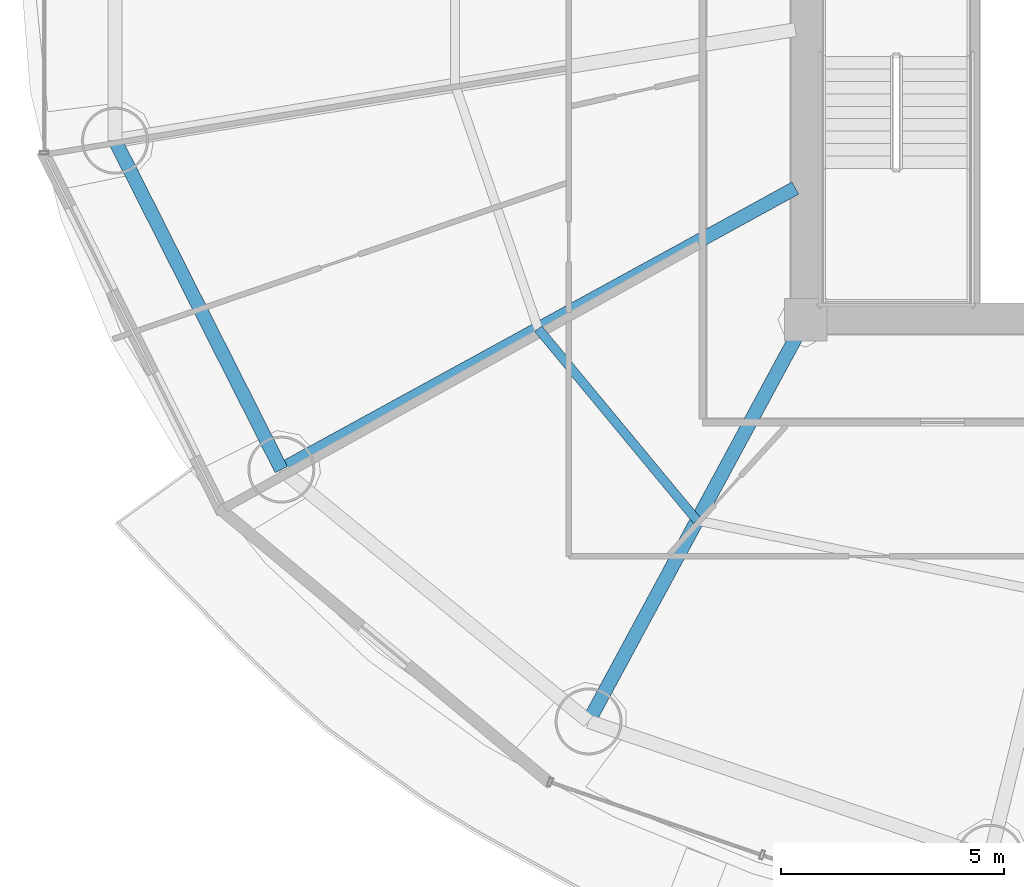
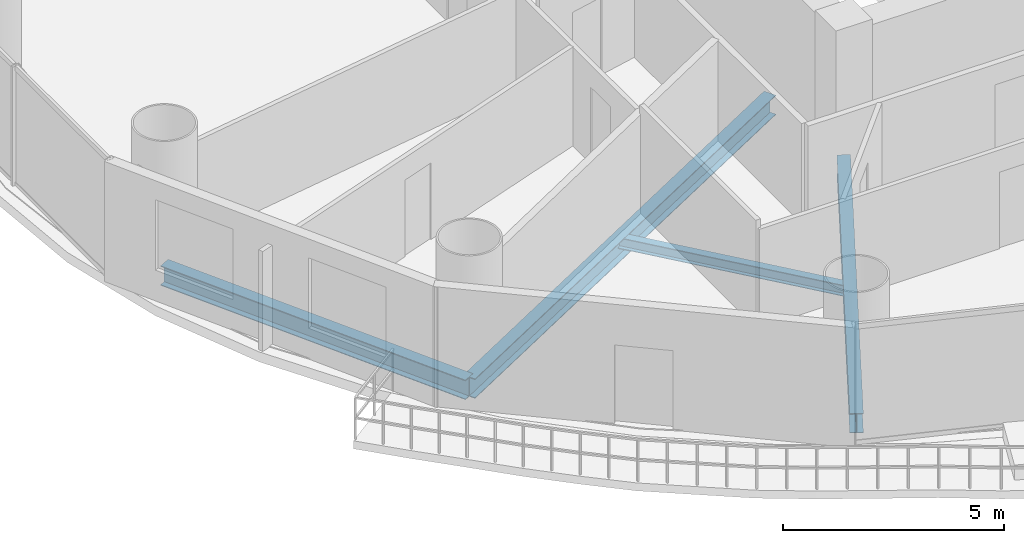
# One storey, part 3 of 29: 4 beams.
"""IFC4 building model written with IfcOpenShell, lengths in metres."""

from ifc_helpers import new_model, si_unit, direction, frame, origin, origin_2d, place, context, subcontext, project, spatial, i_section, extrude, material, material_profile, profile_set, type_object, element, save


model = new_model("IFC4")

# Units and contexts
model_context = context("Model", 3, precision=1e-05, world=origin(), true_north=direction((-0.2419218956, 0.970295726276)))
body_context = subcontext(model_context, "Body", "Model", "MODEL_VIEW")
ifc_project = project(units=[si_unit("LENGTHUNIT", "METRE"), si_unit("AREAUNIT", "SQUARE_METRE"), si_unit("VOLUMEUNIT", "CUBIC_METRE"), si_unit("PLANEANGLEUNIT", "RADIAN"), si_unit("MASSUNIT", "GRAM", prefix="KILO")], contexts=[model_context])

# Site, building, storey
site_placement = place(None, origin())
site = spatial("IfcSite", under=ifc_project, at=site_placement, CompositionType="ELEMENT")
building_placement = place(site_placement, origin())
building = spatial("IfcBuilding", under=site, at=building_placement, Name="Cobrevalo Terracotta Tower", CompositionType="ELEMENT")
storey_placement = place(building_placement, frame((0.0, 0.0, 123.0)))
storey = spatial("IfcBuildingStorey", under=building, at=storey_placement, Name="L32", CompositionType="ELEMENT", Elevation=123.0)

# Beams
ifc_material = material(Name="Steel S355", Category="steel")
ifc_material_profile_1 = material_profile(ifc_material, i_section(OverallWidth=0.31201171875, OverallDepth=0.54296875, WebThickness=0.0126953125, FlangeThickness=0.020263671875, at=origin_2d()), Name="W 530x150")
ifc_profile_set_1 = profile_set([ifc_material_profile_1], Name="Steel S355")
beam_type_1 = type_object("IfcBeamType", Name="Structural Beam W 530x150 (Steel S355)", PredefinedType="BEAM", material=ifc_profile_set_1)
beam_1_placement = place(storey_placement, frame((17.2548828125, 15.4384765625, -0.54638671875), z_axis=(0.877072765004, 0.480357538599, 0.0), x_axis=(-0.480357538599, 0.877072765004, 0.0)))
element("IfcBeam", 1, at=beam_1_placement, inside=storey, type_object=beam_type_1, Name="L32 radial floor girder 10", PredefinedType="BEAM", context=body_context, shape_type="SweptSolid", body=[
    extrude(i_section(OverallWidth=0.31201171875, OverallDepth=0.54296875, WebThickness=0.0126953125, FlangeThickness=0.020263671875, at=origin_2d()), origin(), (0.0, 0.0, 1.0), 13.129150390625),
])
beam_2_placement = place(storey_placement, frame((24.138427734375, 9.79638671875, -0.54638671875), z_axis=(0.475118249298, 0.879921956303, 0.0), x_axis=(-0.879921956303, 0.475118249298, 0.0)))
element("IfcBeam", 2, at=beam_2_placement, inside=storey, type_object=beam_type_1, Name="L32 radial floor girder 11", PredefinedType="BEAM", context=body_context, shape_type="SweptSolid", body=[
    extrude(i_section(OverallWidth=0.31201171875, OverallDepth=0.54296875, WebThickness=0.0126953125, FlangeThickness=0.020263671875, at=origin_2d()), origin(), (0.0, 0.0, 1.0), 10.232421875),
])
ifc_material_profile_2 = material_profile(ifc_material, i_section(OverallWidth=0.2041015625, OverallDepth=0.305908203125, WebThickness=0.008544921875, FlangeThickness=0.0146484375, at=origin_2d()), Name="W 310x67")
ifc_profile_set_2 = profile_set([ifc_material_profile_2], Name="Steel S355")
beam_type_2 = type_object("IfcBeamType", Name="Structural Joist W 310x67 (Steel S355)", PredefinedType="JOIST", material=ifc_profile_set_2)
beam_3_placement = place(storey_placement, frame((23.012451171875, 18.591796875, -0.427978515625), z_axis=(0.6379592588, -0.77007011636, 0.0), x_axis=(0.77007011636, 0.6379592588, 0.0)))
element("IfcBeam", 3, at=beam_3_placement, inside=storey, type_object=beam_type_2, Name="L32 circumferential secondary floor joist 10", PredefinedType="JOIST", context=body_context, shape_type="SweptSolid", body=[
    extrude(i_section(OverallWidth=0.2041015625, OverallDepth=0.305908203125, WebThickness=0.008544921875, FlangeThickness=0.0146484375, at=origin_2d()), origin(), (0.0, 0.0, 1.0), 5.575439453125),
])
ifc_material_profile_3 = material_profile(ifc_material, i_section(OverallWidth=0.31201171875, OverallDepth=0.54296875, WebThickness=0.0126953125, FlangeThickness=0.020263671875, at=origin_2d()), Name="W 530x150")
ifc_profile_set_3 = profile_set([ifc_material_profile_3], Name="Steel S355")
beam_type_3 = type_object("IfcBeamType", Name="Structural Spandrel W 530x150 (Steel S355)", PredefinedType="SPANDREL", material=ifc_profile_set_3)
beam_4_placement = place(storey_placement, frame((13.529296875, 22.810302734375, -0.54638671875), z_axis=(0.451051982172, -0.892497680321, 0.0), x_axis=(0.892497680321, 0.451051982172, 0.0)))
element("IfcBeam", 4, at=beam_4_placement, inside=storey, type_object=beam_type_3, Name="L32 perimeter ring spandrel 09", PredefinedType="SPANDREL", context=body_context, shape_type="SweptSolid", body=[
    extrude(i_section(OverallWidth=0.31201171875, OverallDepth=0.54296875, WebThickness=0.0126953125, FlangeThickness=0.020263671875, at=origin_2d()), origin(), (0.0, 0.0, 1.0), 8.259765625),
])

save(model, "model.ifc")
